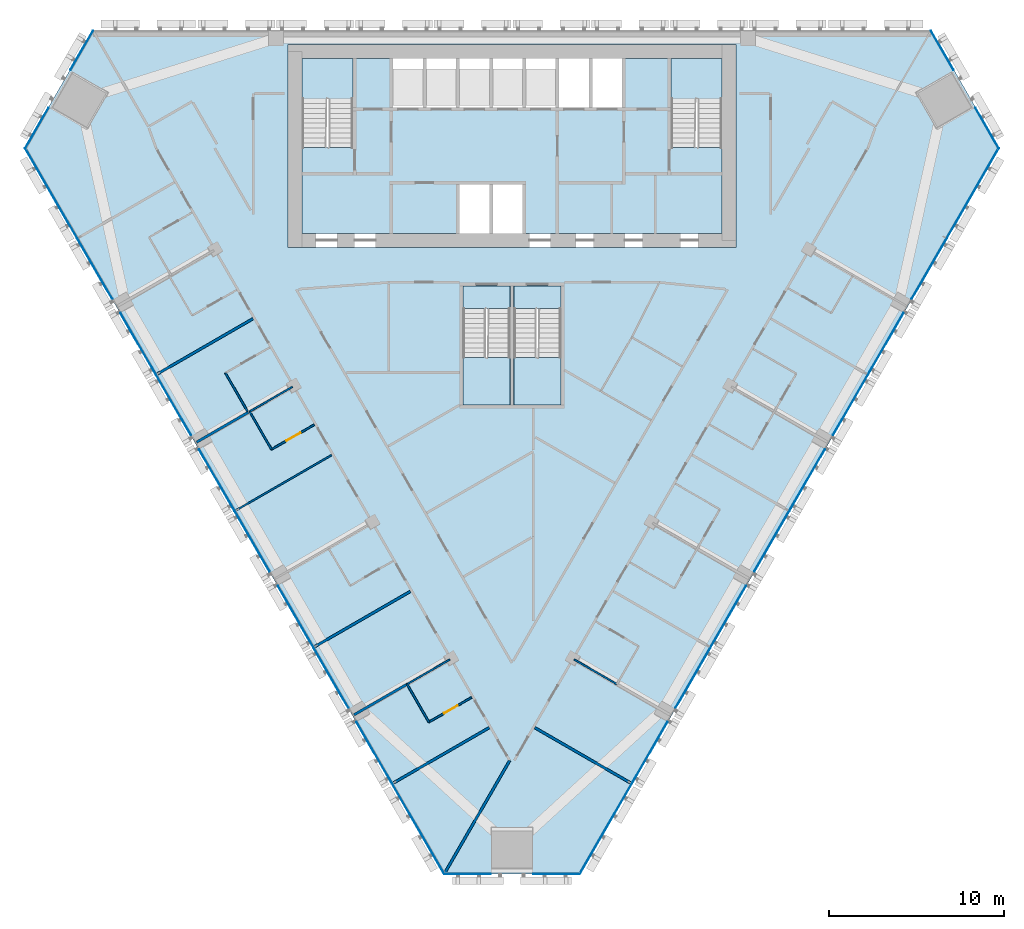
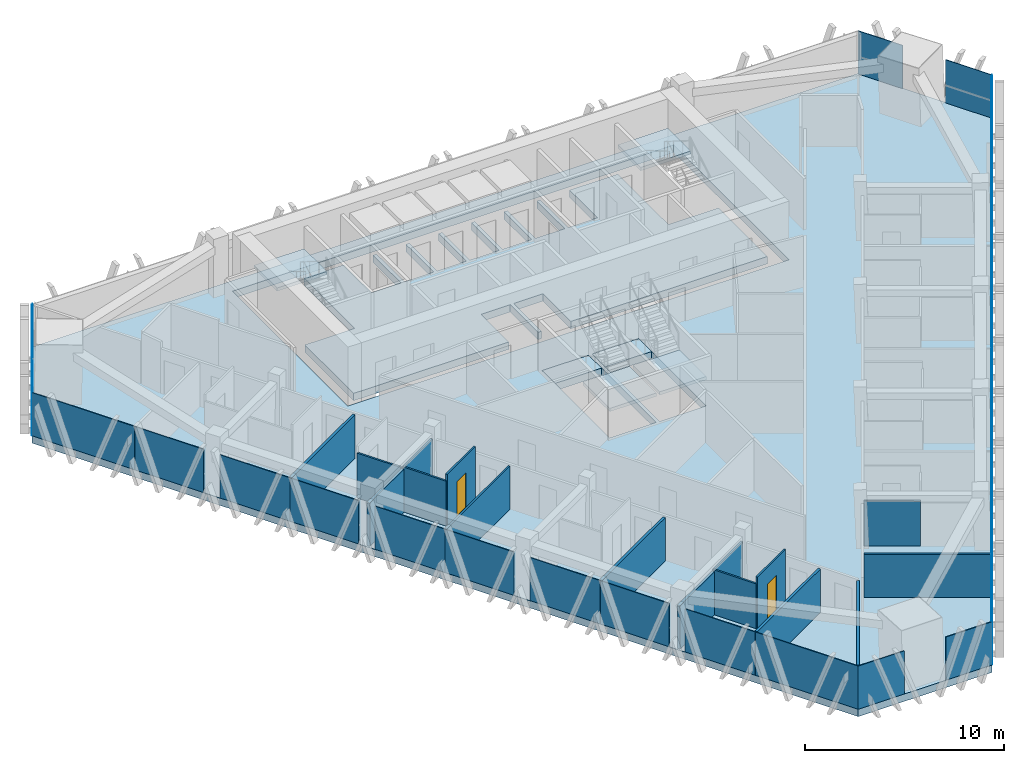
# One storey, part 8 of 16: 26 plates, 16 walls, 8 slabs, 2 doors, 2 openings, 9 elements without a shape of their own.
"""IFC4 building model written with IfcOpenShell, lengths in metres."""

import ifcopenshell
import ifcopenshell.guid

model = None  # the IFC model being written
_history = None  # IfcOwnerHistory: only IFC2X3 demands one
_inside = {}  # id of a spatial element -> (the spatial element, [elements in it])
_under = {}  # id of a project, library or spatial element -> (it, [spatial elements below it])
_declared = {}  # id of a project -> (the project, [libraries it declares])
_typed = {}  # id of a type object -> (the type object, [elements of that type])
_made_of = {}  # id of a material, layer set ... -> (it, [elements and type objects made of it])


def new_model(schema):
    """Start an empty IFC model of exactly this schema.

    Asked for "IFC4X3", IfcOpenShell would pick the latest addendum, in which some entities
    have other attributes; the version numbers below select the first issue.
    IFC2X3 requires an IfcOwnerHistory on every rooted entity: one is made here for all.
    """
    global model, _history
    if schema == "IFC4X3":
        model = ifcopenshell.file(schema_version=(4, 3, 0, 0))
    else:
        model = ifcopenshell.file(schema=schema)
    _inside.clear()
    _under.clear()
    _declared.clear()
    _typed.clear()
    _made_of.clear()
    _history = None
    if model.schema == "IFC2X3":
        org = make("IfcOrganization", Name="unknown")
        user = make(
            "IfcPersonAndOrganization",
            ThePerson=make("IfcPerson", FamilyName="unknown"),
            TheOrganization=org,
        )
        app = make(
            "IfcApplication",
            ApplicationDeveloper=org,
            Version="unknown",
            ApplicationFullName="unknown",
            ApplicationIdentifier="unknown",
        )
        _history = make(
            "IfcOwnerHistory",
            OwningUser=user,
            OwningApplication=app,
            ChangeAction="ADDED",
            CreationDate=0,
        )
    return model


def make(cls, **values):
    """One entity of the class cls with the attributes given. An attribute that is None is left unset."""
    return model.create_entity(
        cls, **{name: value for name, value in values.items() if value is not None}
    )


def rooted(cls, **values):
    """An entity with a GlobalId (a new one), such as an element, a storey or a relation."""
    return make(cls, GlobalId=ifcopenshell.guid.new(), OwnerHistory=_history, **values)


def si_unit(unit_type, name, prefix=None):
    """IfcSIUnit, for example si_unit("LENGTHUNIT", "METRE", prefix="MILLI")."""
    return make("IfcSIUnit", UnitType=unit_type, Prefix=prefix, Name=name)


def assignment(units):
    """IfcUnitAssignment: the units of a project."""
    return None if units is None else make("IfcUnitAssignment", Units=units)


def point(xyz):
    """IfcCartesianPoint."""
    return None if xyz is None else make("IfcCartesianPoint", Coordinates=xyz)


def direction(xyz):
    """IfcDirection."""
    return None if xyz is None else make("IfcDirection", DirectionRatios=xyz)


def frame(location, z_axis=None, x_axis=None):
    """IfcAxis2Placement3D, a coordinate frame: its origin and axes. An axis left out is left unset."""
    return make(
        "IfcAxis2Placement3D",
        Location=point(location),
        Axis=direction(z_axis),
        RefDirection=direction(x_axis),
    )


def frame_2d(location, x_axis=None):
    """IfcAxis2Placement2D, a coordinate frame in the plane: its origin and x axis."""
    return make(
        "IfcAxis2Placement2D", Location=point(location), RefDirection=direction(x_axis)
    )


def origin():
    """The frame at (0, 0, 0) with its axes left unset."""
    return frame((0.0, 0.0, 0.0))


def origin_2d():
    """The frame at (0, 0) in the plane with its x axis left unset."""
    return frame_2d((0.0, 0.0))


def place(relative_to, where):
    """IfcLocalPlacement: puts the frame where relative to a parent placement (None: the world)."""
    return make(
        "IfcLocalPlacement", PlacementRelTo=relative_to, RelativePlacement=where
    )


def context(
    kind, dimensions, precision=None, world=None, true_north=None, identifier=None
):
    """IfcGeometricRepresentationContext, for example the 3D "Model" context."""
    return make(
        "IfcGeometricRepresentationContext",
        ContextIdentifier=identifier,
        ContextType=kind,
        CoordinateSpaceDimension=dimensions,
        Precision=precision,
        WorldCoordinateSystem=world,
        TrueNorth=true_north,
    )


def subcontext(parent, identifier, kind, view, scale=None):
    """IfcGeometricRepresentationSubContext, for example "Body" below "Model"."""
    return make(
        "IfcGeometricRepresentationSubContext",
        ContextIdentifier=identifier,
        ContextType=kind,
        ParentContext=parent,
        TargetScale=scale,
        TargetView=view,
    )


def project(units=None, contexts=None):
    """IfcProject with its units and contexts."""
    return rooted(
        "IfcProject",
        Name="project",
        RepresentationContexts=contexts,
        UnitsInContext=assignment(units),
    )


def spatial(cls, under=None, at=None, **own):
    """A site, building, storey or space (cls), placed at a placement, below another one or the project."""
    s = rooted(cls, ObjectPlacement=at, **own)
    if under is not None:
        _under.setdefault(under.id(), (under, []))[1].append(s)
    return s


def polyline(points):
    """IfcPolyline through the points."""
    return make("IfcPolyline", Points=[point(p) for p in points])


def profile(cls, at=None, kind="AREA", **sizes):
    """A parametric profile (cls). Its sizes go by their IFC names, for example OverallWidth=200.0."""
    return make(cls, ProfileType=kind, Position=at, **sizes)


def rectangle(**sizes):
    """IfcRectangleProfileDef."""
    return profile("IfcRectangleProfileDef", **sizes)


def outline(outer, holes=None, kind="AREA"):
    """IfcArbitraryClosedProfileDef: a profile drawn as a closed curve; with holes, ...WithVoids."""
    if holes is None:
        return make("IfcArbitraryClosedProfileDef", ProfileType=kind, OuterCurve=outer)
    return make(
        "IfcArbitraryProfileDefWithVoids",
        ProfileType=kind,
        OuterCurve=outer,
        InnerCurves=holes,
    )


def extrude(swept, where, along, depth):
    """IfcExtrudedAreaSolid: the profile swept, set in the frame where, extruded along a direction by depth."""
    return make(
        "IfcExtrudedAreaSolid",
        SweptArea=swept,
        Position=where,
        ExtrudedDirection=direction(along),
        Depth=depth,
    )


def shape(context_of_items, identifier, shape_type, items):
    """IfcShapeRepresentation: the items that make up one representation, for example the "Body"."""
    return make(
        "IfcShapeRepresentation",
        ContextOfItems=context_of_items,
        RepresentationIdentifier=identifier,
        RepresentationType=shape_type,
        Items=items,
    )


def material(Name=None, Category=None):
    """IfcMaterial."""
    return make("IfcMaterial", Name=Name, Category=Category)


def layer(
    of_material, thickness, ventilated=None, Name=None, Category=None, Priority=None
):
    """IfcMaterialLayer: one layer of a wall or slab, of a material (None: an air gap)."""
    return make(
        "IfcMaterialLayer",
        Material=of_material,
        LayerThickness=thickness,
        IsVentilated=ventilated,
        Name=Name,
        Category=Category,
        Priority=Priority,
    )


def layer_set(layers, Name=None):
    """IfcMaterialLayerSet."""
    return make("IfcMaterialLayerSet", MaterialLayers=layers, LayerSetName=Name)


def made_of(thing, what):
    """Note that an element or type object is made of a material, layer set ...; save() writes the relation."""
    if what is not None:
        _made_of.setdefault(what.id(), (what, []))[1].append(thing)
    return thing


def type_object(cls, material=None, **own):
    """A type object (cls), such as IfcWallType, which elements share."""
    return made_of(rooted(cls, **own), material)


def element(
    cls,
    number,
    at=None,
    inside=None,
    cuts=None,
    type_object=None,
    material=None,
    context=None,
    identifier="Body",
    shape_type=None,
    held_by="IfcProductDefinitionShape",
    body=None,
    shapes=None,
    **own,
):
    """One element of the class cls, such as IfcWall. Its Tag is "e" and its number.

    at: its placement. inside: the storey or other place that contains it. cuts: it is an
    opening in that element (IfcRelVoidsElement). A single representation is given by context,
    identifier, shape_type and body (its items); several are given by shapes. held_by: the class
    of the entity that holds the representations. save() writes the other relations.
    """
    e = rooted(cls, Tag="e%d" % number, ObjectPlacement=at, **own)
    if body is not None:
        shapes = [shape(context, identifier, shape_type, body)]
    if shapes is not None:
        e.Representation = make(held_by, Representations=shapes)
    if inside is not None:
        _inside.setdefault(inside.id(), (inside, []))[1].append(e)
    if cuts is not None:
        rooted(
            "IfcRelVoidsElement", RelatingBuildingElement=cuts, RelatedOpeningElement=e
        )
    if type_object is not None:
        _typed.setdefault(type_object.id(), (type_object, []))[1].append(e)
    return made_of(e, material)


def fill(opening, filler):
    """IfcRelFillsElement: the door or window that sits in an opening."""
    return rooted(
        "IfcRelFillsElement",
        RelatingOpeningElement=opening,
        RelatedBuildingElement=filler,
    )


def aggregate(whole, parts):
    """IfcRelAggregates: a whole, such as a stair, and the parts it consists of."""
    return rooted("IfcRelAggregates", RelatingObject=whole, RelatedObjects=parts)


def save(model, path):
    """Write the relations noted so far, then the file.

    IfcRelAggregates (storeys below a building ...), IfcRelContainedInSpatialStructure (elements
    in a storey), IfcRelDefinesByType, IfcRelAssociatesMaterial and IfcRelDeclares: one each for
    every whole, place, type object, material and project.
    """
    for whole, parts in _under.values():
        aggregate(whole, parts)
    for where, things in _inside.values():
        rooted(
            "IfcRelContainedInSpatialStructure",
            RelatedElements=things,
            RelatingStructure=where,
        )
    for kind, things in _typed.values():
        rooted("IfcRelDefinesByType", RelatedObjects=things, RelatingType=kind)
    for what, things in _made_of.values():
        rooted("IfcRelAssociatesMaterial", RelatedObjects=things, RelatingMaterial=what)
    for by, libraries in _declared.values():
        rooted("IfcRelDeclares", RelatingContext=by, RelatedDefinitions=libraries)
    model.write(path)


model = new_model("IFC4")

# Units and contexts
model_context = context("Model", 3, precision=1e-05, world=origin(), true_north=direction((0.0, 1.0)))
body_context = subcontext(model_context, "Body", "Model", "MODEL_VIEW")
ifc_project = project(units=[si_unit("LENGTHUNIT", "METRE"), si_unit("AREAUNIT", "SQUARE_METRE"), si_unit("VOLUMEUNIT", "CUBIC_METRE"), si_unit("PLANEANGLEUNIT", "RADIAN"), si_unit("MASSUNIT", "GRAM", prefix="KILO")], contexts=[model_context])

# Site, building, storey
site_placement = place(None, origin())
site = spatial("IfcSite", under=ifc_project, at=site_placement, CompositionType="ELEMENT")
building_placement = place(site_placement, origin())
building = spatial("IfcBuilding", under=site, at=building_placement, Name="Altiplano Prism Tower", CompositionType="ELEMENT")
storey_placement = place(building_placement, frame((0.0, 0.0, 131.39990234375)))
storey = spatial("IfcBuildingStorey", under=building, at=storey_placement, Name="L33", CompositionType="ELEMENT", Elevation=131.39990234375)

# Curtain wall, plates
ifc_material_1 = material(Name="Aluminium and glass", Category="aluminium")
ifc_layer_1 = layer(ifc_material_1, 0.280029296875)
ifc_layer_set_1 = layer_set([ifc_layer_1], Name="Aluminium and glass")
curtain_wall_type = type_object("IfcCurtainWallType", Name="CW1 typical co-living unitised curtain wall", PredefinedType="NOTDEFINED", material=ifc_layer_set_1)
curtain_wall_1_placement = place(storey_placement, origin())
curtain_wall_1 = element("IfcCurtainWall", 1, at=curtain_wall_1_placement, inside=storey, type_object=curtain_wall_type, Name="CW1 curtain wall north-west chamfer L33", PredefinedType="NOTDEFINED")
ifc_material_2 = material(Name="Clear glass", Category="glass")
ifc_layer_2 = layer(ifc_material_2, 0.0400390625)
ifc_layer_set_2 = layer_set([ifc_layer_2], Name="Clear glass")
plate_type = type_object("IfcPlateType", Name="CW1 insulated glass unit 40", PredefinedType="CURTAIN_PANEL", material=ifc_layer_set_2)
plate_1_placement = place(storey_placement, frame((60.400634765625, 103.862548828125, 0.000244140625), z_axis=(0.0, 0.0, 1.0), x_axis=(-0.500000001179, -0.866025403104, 0.0)))
plate_1 = element("IfcPlate", 2, at=plate_1_placement, type_object=plate_type, Name="CW1 panel", PredefinedType="CURTAIN_PANEL", context=body_context, shape_type="SweptSolid", body=[
    extrude(rectangle(XDim=2.593994140625, YDim=0.0400390625, at=origin_2d()), origin(), (0.0, 0.0, 1.0), 2.64990234375),
])
plate_2_placement = place(storey_placement, frame((57.838623046875, 99.425048828125, 0.000244140625), z_axis=(0.0, 0.0, 1.0), x_axis=(-0.500000001179, -0.866025403104, 0.0)))
plate_2 = element("IfcPlate", 3, at=plate_2_placement, type_object=plate_type, Name="CW1 panel", PredefinedType="CURTAIN_PANEL", context=body_context, shape_type="SweptSolid", body=[
    extrude(rectangle(XDim=2.674072265625, YDim=0.0400390625, at=origin_2d()), origin(), (0.0, 0.0, 1.0), 2.64990234375),
])
aggregate(curtain_wall_1, [plate_1, plate_2])

curtain_wall_2_placement = place(storey_placement, origin())
curtain_wall_2 = element("IfcCurtainWall", 4, at=curtain_wall_2_placement, inside=storey, type_object=curtain_wall_type, Name="CW1 curtain wall south-west face L33", PredefinedType="NOTDEFINED")
plate_3_placement = place(storey_placement, frame((58.658935546875, 95.699462890625, 0.000244140625), z_axis=(0.0, 0.0, 1.0), x_axis=(0.500000002207, -0.86602540251, 0.0)))
plate_3 = element("IfcPlate", 5, at=plate_3_placement, type_object=plate_type, Name="CW1 panel", PredefinedType="CURTAIN_PANEL", context=body_context, shape_type="SweptSolid", body=[
    extrude(rectangle(XDim=5.955810546875, YDim=0.0400390625, at=origin_2d()), origin(), (0.0, 0.0, 1.0), 2.64990234375),
])
plate_4_placement = place(storey_placement, frame((61.1494140625, 91.38623046875, 0.000244140625), z_axis=(0.0, 0.0, 1.0), x_axis=(0.500000002207, -0.86602540251, 0.0)))
plate_4 = element("IfcPlate", 6, at=plate_4_placement, type_object=plate_type, Name="CW1 panel", PredefinedType="CURTAIN_PANEL", context=body_context, shape_type="SweptSolid", body=[
    extrude(rectangle(XDim=3.985595703125, YDim=0.0400390625, at=origin_2d()), origin(), (0.0, 0.0, 1.0), 2.64990234375),
])
plate_5_placement = place(storey_placement, frame((63.6318359375, 87.08642578125, 0.000244140625), z_axis=(0.0, 0.0, 1.0), x_axis=(0.500000002207, -0.86602540251, 0.0)))
plate_5 = element("IfcPlate", 7, at=plate_5_placement, type_object=plate_type, Name="CW1 panel", PredefinedType="CURTAIN_PANEL", context=body_context, shape_type="SweptSolid", body=[
    extrude(rectangle(XDim=4.064453125, YDim=0.0400390625, at=origin_2d()), origin(), (0.0, 0.0, 1.0), 2.64990234375),
])
plate_6_placement = place(storey_placement, frame((65.6494140625, 83.592041015625, 0.000244140625), z_axis=(0.0, 0.0, 1.0), x_axis=(0.500000002207, -0.86602540251, 0.0)))
plate_6 = element("IfcPlate", 8, at=plate_6_placement, type_object=plate_type, Name="CW1 panel", PredefinedType="CURTAIN_PANEL", context=body_context, shape_type="SweptSolid", body=[
    extrude(rectangle(XDim=3.985595703125, YDim=0.0400390625, at=origin_2d()), origin(), (0.0, 0.0, 1.0), 2.64990234375),
])
plate_7_placement = place(storey_placement, frame((68.1318359375, 79.2919921875, 0.000244140625), z_axis=(0.0, 0.0, 1.0), x_axis=(0.500000002207, -0.86602540251, 0.0)))
plate_7 = element("IfcPlate", 9, at=plate_7_placement, type_object=plate_type, Name="CW1 panel", PredefinedType="CURTAIN_PANEL", context=body_context, shape_type="SweptSolid", body=[
    extrude(rectangle(XDim=4.064453125, YDim=0.0400390625, at=origin_2d()), origin(), (0.0, 0.0, 1.0), 2.64990234375),
])
plate_8_placement = place(storey_placement, frame((70.1494140625, 75.7978515625, 0.000244140625), z_axis=(0.0, 0.0, 1.0), x_axis=(0.500000002207, -0.86602540251, 0.0)))
plate_8 = element("IfcPlate", 10, at=plate_8_placement, type_object=plate_type, Name="CW1 panel", PredefinedType="CURTAIN_PANEL", context=body_context, shape_type="SweptSolid", body=[
    extrude(rectangle(XDim=3.985595703125, YDim=0.0400390625, at=origin_2d()), origin(), (0.0, 0.0, 1.0), 2.64990234375),
])
plate_9_placement = place(storey_placement, frame((72.6318359375, 71.497802734375, 0.000244140625), z_axis=(0.0, 0.0, 1.0), x_axis=(0.500000002207, -0.86602540251, 0.0)))
plate_9 = element("IfcPlate", 11, at=plate_9_placement, type_object=plate_type, Name="CW1 panel", PredefinedType="CURTAIN_PANEL", context=body_context, shape_type="SweptSolid", body=[
    extrude(rectangle(XDim=4.064453125, YDim=0.0400390625, at=origin_2d()), origin(), (0.0, 0.0, 1.0), 2.64990234375),
])
plate_10_placement = place(storey_placement, frame((74.6494140625, 68.00341796875, 0.000244140625), z_axis=(0.0, 0.0, 1.0), x_axis=(0.500000002207, -0.86602540251, 0.0)))
plate_10 = element("IfcPlate", 12, at=plate_10_placement, type_object=plate_type, Name="CW1 panel", PredefinedType="CURTAIN_PANEL", context=body_context, shape_type="SweptSolid", body=[
    extrude(rectangle(XDim=3.985595703125, YDim=0.0400390625, at=origin_2d()), origin(), (0.0, 0.0, 1.0), 2.64990234375),
])
plate_11_placement = place(storey_placement, frame((77.1318359375, 63.70361328125, 0.000244140625), z_axis=(0.0, 0.0, 1.0), x_axis=(0.500000002207, -0.86602540251, 0.0)))
plate_11 = element("IfcPlate", 13, at=plate_11_placement, type_object=plate_type, Name="CW1 panel", PredefinedType="CURTAIN_PANEL", context=body_context, shape_type="SweptSolid", body=[
    extrude(rectangle(XDim=4.064453125, YDim=0.0400390625, at=origin_2d()), origin(), (0.0, 0.0, 1.0), 2.64990234375),
])
plate_12_placement = place(storey_placement, frame((79.641845703125, 59.356201171875, 0.000244140625), z_axis=(0.0, 0.0, 1.0), x_axis=(0.500000002207, -0.86602540251, 0.0)))
plate_12 = element("IfcPlate", 14, at=plate_12_placement, type_object=plate_type, Name="CW1 panel", PredefinedType="CURTAIN_PANEL", context=body_context, shape_type="SweptSolid", body=[
    extrude(rectangle(XDim=5.955810546875, YDim=0.0400390625, at=origin_2d()), origin(), (0.0, 0.0, 1.0), 2.64990234375),
])
aggregate(curtain_wall_2, [plate_3, plate_4, plate_5, plate_6, plate_7, plate_8, plate_9, plate_10, plate_11, plate_12])

curtain_wall_3_placement = place(storey_placement, origin())
curtain_wall_3 = element("IfcCurtainWall", 15, at=curtain_wall_3_placement, inside=storey, type_object=curtain_wall_type, Name="CW1 curtain wall south chamfer L33", PredefinedType="NOTDEFINED")
plate_13_placement = place(storey_placement, frame((82.4580078125, 56.782958984375, 0.000244140625), z_axis=(0.0, 0.0, 1.0), x_axis=(1.0, 0.0, 0.0)))
plate_13 = element("IfcPlate", 16, at=plate_13_placement, type_object=plate_type, Name="CW1 panel", PredefinedType="CURTAIN_PANEL", context=body_context, shape_type="SweptSolid", body=[
    extrude(rectangle(XDim=2.673828125, YDim=0.0400390625, at=origin_2d()), origin(), (0.0, 0.0, 1.0), 2.64990234375),
])
plate_14_placement = place(storey_placement, frame((87.5419921875, 56.782958984375, 0.000244140625), z_axis=(0.0, 0.0, 1.0), x_axis=(1.0, 0.0, 0.0)))
plate_14 = element("IfcPlate", 17, at=plate_14_placement, type_object=plate_type, Name="CW1 panel", PredefinedType="CURTAIN_PANEL", context=body_context, shape_type="SweptSolid", body=[
    extrude(rectangle(XDim=2.673828125, YDim=0.0400390625, at=origin_2d()), origin(), (0.0, 0.0, 1.0), 2.64990234375),
])
aggregate(curtain_wall_3, [plate_13, plate_14])

curtain_wall_4_placement = place(storey_placement, origin())
curtain_wall_4 = element("IfcCurtainWall", 18, at=curtain_wall_4_placement, inside=storey, type_object=curtain_wall_type, Name="CW1 curtain wall south-east face L33", PredefinedType="NOTDEFINED")
plate_15_placement = place(storey_placement, frame((90.358154296875, 59.356201171875, 0.000244140625), z_axis=(0.0, 0.0, 1.0), x_axis=(0.500000002207, 0.86602540251, 0.0)))
plate_15 = element("IfcPlate", 19, at=plate_15_placement, type_object=plate_type, Name="CW1 panel", PredefinedType="CURTAIN_PANEL", context=body_context, shape_type="SweptSolid", body=[
    extrude(rectangle(XDim=5.955810546875, YDim=0.0400390625, at=origin_2d()), origin(), (0.0, 0.0, 1.0), 2.64990234375),
])
plate_16_placement = place(storey_placement, frame((92.8681640625, 63.70361328125, 0.000244140625), z_axis=(0.0, 0.0, 1.0), x_axis=(0.500000002207, 0.86602540251, 0.0)))
plate_16 = element("IfcPlate", 20, at=plate_16_placement, type_object=plate_type, Name="CW1 panel", PredefinedType="CURTAIN_PANEL", context=body_context, shape_type="SweptSolid", body=[
    extrude(rectangle(XDim=4.064453125, YDim=0.0400390625, at=origin_2d()), origin(), (0.0, 0.0, 1.0), 2.64990234375),
])
plate_17_placement = place(storey_placement, frame((95.3505859375, 68.00341796875, 0.000244140625), z_axis=(0.0, 0.0, 1.0), x_axis=(0.500000002207, 0.86602540251, 0.0)))
plate_17 = element("IfcPlate", 21, at=plate_17_placement, type_object=plate_type, Name="CW1 panel", PredefinedType="CURTAIN_PANEL", context=body_context, shape_type="SweptSolid", body=[
    extrude(rectangle(XDim=3.985595703125, YDim=0.0400390625, at=origin_2d()), origin(), (0.0, 0.0, 1.0), 2.64990234375),
])
plate_18_placement = place(storey_placement, frame((97.3681640625, 71.497802734375, 0.000244140625), z_axis=(0.0, 0.0, 1.0), x_axis=(0.500000002207, 0.86602540251, 0.0)))
plate_18 = element("IfcPlate", 22, at=plate_18_placement, type_object=plate_type, Name="CW1 panel", PredefinedType="CURTAIN_PANEL", context=body_context, shape_type="SweptSolid", body=[
    extrude(rectangle(XDim=4.064453125, YDim=0.0400390625, at=origin_2d()), origin(), (0.0, 0.0, 1.0), 2.64990234375),
])
plate_19_placement = place(storey_placement, frame((99.8505859375, 75.7978515625, 0.000244140625), z_axis=(0.0, 0.0, 1.0), x_axis=(0.500000002207, 0.86602540251, 0.0)))
plate_19 = element("IfcPlate", 23, at=plate_19_placement, type_object=plate_type, Name="CW1 panel", PredefinedType="CURTAIN_PANEL", context=body_context, shape_type="SweptSolid", body=[
    extrude(rectangle(XDim=3.985595703125, YDim=0.0400390625, at=origin_2d()), origin(), (0.0, 0.0, 1.0), 2.64990234375),
])
plate_20_placement = place(storey_placement, frame((101.8681640625, 79.2919921875, 0.000244140625), z_axis=(0.0, 0.0, 1.0), x_axis=(0.500000002207, 0.86602540251, 0.0)))
plate_20 = element("IfcPlate", 24, at=plate_20_placement, type_object=plate_type, Name="CW1 panel", PredefinedType="CURTAIN_PANEL", context=body_context, shape_type="SweptSolid", body=[
    extrude(rectangle(XDim=4.064453125, YDim=0.0400390625, at=origin_2d()), origin(), (0.0, 0.0, 1.0), 2.64990234375),
])
plate_21_placement = place(storey_placement, frame((104.3505859375, 83.592041015625, 0.000244140625), z_axis=(0.0, 0.0, 1.0), x_axis=(0.500000002207, 0.86602540251, 0.0)))
plate_21 = element("IfcPlate", 25, at=plate_21_placement, type_object=plate_type, Name="CW1 panel", PredefinedType="CURTAIN_PANEL", context=body_context, shape_type="SweptSolid", body=[
    extrude(rectangle(XDim=3.985595703125, YDim=0.0400390625, at=origin_2d()), origin(), (0.0, 0.0, 1.0), 2.64990234375),
])
plate_22_placement = place(storey_placement, frame((106.3681640625, 87.08642578125, 0.000244140625), z_axis=(0.0, 0.0, 1.0), x_axis=(0.500000002207, 0.86602540251, 0.0)))
plate_22 = element("IfcPlate", 26, at=plate_22_placement, type_object=plate_type, Name="CW1 panel", PredefinedType="CURTAIN_PANEL", context=body_context, shape_type="SweptSolid", body=[
    extrude(rectangle(XDim=4.064453125, YDim=0.0400390625, at=origin_2d()), origin(), (0.0, 0.0, 1.0), 2.64990234375),
])
plate_23_placement = place(storey_placement, frame((108.8505859375, 91.38623046875, 0.000244140625), z_axis=(0.0, 0.0, 1.0), x_axis=(0.500000002207, 0.86602540251, 0.0)))
plate_23 = element("IfcPlate", 27, at=plate_23_placement, type_object=plate_type, Name="CW1 panel", PredefinedType="CURTAIN_PANEL", context=body_context, shape_type="SweptSolid", body=[
    extrude(rectangle(XDim=3.985595703125, YDim=0.0400390625, at=origin_2d()), origin(), (0.0, 0.0, 1.0), 2.64990234375),
])
plate_24_placement = place(storey_placement, frame((111.341064453125, 95.699462890625, 0.000244140625), z_axis=(0.0, 0.0, 1.0), x_axis=(0.500000002207, 0.86602540251, 0.0)))
plate_24 = element("IfcPlate", 28, at=plate_24_placement, type_object=plate_type, Name="CW1 panel", PredefinedType="CURTAIN_PANEL", context=body_context, shape_type="SweptSolid", body=[
    extrude(rectangle(XDim=5.955810546875, YDim=0.0400390625, at=origin_2d()), origin(), (0.0, 0.0, 1.0), 2.64990234375),
])
aggregate(curtain_wall_4, [plate_15, plate_16, plate_17, plate_18, plate_19, plate_20, plate_21, plate_22, plate_23, plate_24])

curtain_wall_5_placement = place(storey_placement, origin())
curtain_wall_5 = element("IfcCurtainWall", 29, at=curtain_wall_5_placement, inside=storey, type_object=curtain_wall_type, Name="CW1 curtain wall north-east chamfer L33", PredefinedType="NOTDEFINED")
plate_25_placement = place(storey_placement, frame((112.161376953125, 99.425048828125, 0.000244140625), z_axis=(0.0, 0.0, 1.0), x_axis=(-0.500000001179, 0.866025403104, 0.0)))
plate_25 = element("IfcPlate", 30, at=plate_25_placement, type_object=plate_type, Name="CW1 panel", PredefinedType="CURTAIN_PANEL", context=body_context, shape_type="SweptSolid", body=[
    extrude(rectangle(XDim=2.674072265625, YDim=0.0400390625, at=origin_2d()), origin(), (0.0, 0.0, 1.0), 2.64990234375),
])
plate_26_placement = place(storey_placement, frame((109.599365234375, 103.862548828125, 0.000244140625), z_axis=(0.0, 0.0, 1.0), x_axis=(-0.500000001179, 0.866025403104, 0.0)))
plate_26 = element("IfcPlate", 31, at=plate_26_placement, type_object=plate_type, Name="CW1 panel", PredefinedType="CURTAIN_PANEL", context=body_context, shape_type="SweptSolid", body=[
    extrude(rectangle(XDim=2.593994140625, YDim=0.0400390625, at=origin_2d()), origin(), (0.0, 0.0, 1.0), 2.64990234375),
])
aggregate(curtain_wall_5, [plate_25, plate_26])

# Slabs
ifc_material_3 = material(Name="Concrete C40/50", Category="concrete")
ifc_layer_3 = layer(ifc_material_3, 0.449951171875)
ifc_layer_set_3 = layer_set([ifc_layer_3], Name="Concrete C40/50")
slab_type_1 = type_object("IfcSlabType", Name="Core floor slab 450", PredefinedType="FLOOR", material=ifc_layer_set_3)
slab_1_placement = place(storey_placement, frame((0.0, 0.0, -0.449951171875)))
element("IfcSlab", 32, at=slab_1_placement, inside=storey, type_object=slab_type_1, Name="Core floor slab L33", PredefinedType="FLOOR", context=body_context, shape_type="SweptSolid", body=[
    extrude(outline(polyline([(97.0, 98.31005859375), (94.10009765625, 98.31005859375), (94.10009765625, 103.39990234375), (91.300048828125, 103.39990234375), (91.300048828125, 100.60009765625), (89.60009765625, 100.60009765625), (89.60009765625, 103.39990234375), (89.39990234375, 103.39990234375), (89.39990234375, 100.60009765625), (87.699951171875, 100.60009765625), (87.699951171875, 103.39990234375), (87.5, 103.39990234375), (87.5, 100.60009765625), (85.800048828125, 100.60009765625), (85.800048828125, 103.39990234375), (85.60009765625, 103.39990234375), (85.60009765625, 100.60009765625), (83.89990234375, 100.60009765625), (83.89990234375, 103.39990234375), (83.699951171875, 103.39990234375), (83.699951171875, 100.60009765625), (82.0, 100.60009765625), (82.0, 103.39990234375), (81.800048828125, 103.39990234375), (81.800048828125, 100.60009765625), (80.10009765625, 100.60009765625), (80.10009765625, 103.39990234375), (79.89990234375, 103.39990234375), (79.89990234375, 100.60009765625), (78.199951171875, 100.60009765625), (78.199951171875, 103.39990234375), (75.89990234375, 103.39990234375), (75.89990234375, 98.31005859375), (73.0, 98.31005859375), (73.0, 93.39990234375), (82.0, 93.39990234375), (82.0, 96.199951171875), (83.699951171875, 96.199951171875), (83.699951171875, 93.39990234375), (83.89990234375, 93.39990234375), (83.89990234375, 96.199951171875), (85.60009765625, 96.199951171875), (85.60009765625, 93.39990234375), (97.0, 93.39990234375), (97.0, 98.31005859375)])), origin(), (0.0, 0.0, 1.0), 0.449951171875),
])
slab_2_placement = place(storey_placement, frame((0.0, 0.0, -0.449951171875)))
element("IfcSlab", 33, at=slab_2_placement, inside=storey, type_object=slab_type_1, Name="Stair 3A landing slab L33", PredefinedType="FLOOR", context=body_context, shape_type="SweptSolid", body=[
    extrude(outline(polyline([(82.199951171875, 89.096923828125), (84.89990234375, 89.096923828125), (84.89990234375, 90.39990234375), (82.199951171875, 90.39990234375), (82.199951171875, 89.096923828125)])), origin(), (0.0, 0.0, 1.0), 0.449951171875),
])
slab_3_placement = place(storey_placement, frame((0.0, 0.0, -0.449951171875)))
element("IfcSlab", 34, at=slab_3_placement, inside=storey, type_object=slab_type_1, Name="Stair 3B landing slab L33", PredefinedType="FLOOR", context=body_context, shape_type="SweptSolid", body=[
    extrude(outline(polyline([(85.10009765625, 89.096923828125), (87.800048828125, 89.096923828125), (87.800048828125, 90.39990234375), (85.10009765625, 90.39990234375), (85.10009765625, 89.096923828125)])), origin(), (0.0, 0.0, 1.0), 0.449951171875),
])
ifc_layer_4 = layer(ifc_material_3, 0.449951171875)
ifc_layer_set_4 = layer_set([ifc_layer_4], Name="Concrete C40/50")
slab_type_2 = type_object("IfcSlabType", Name="Post-tensioned flat slab 450", PredefinedType="FLOOR", material=ifc_layer_set_4)
slab_4_placement = place(storey_placement, frame((0.0, 0.0, -0.449951171875)))
element("IfcSlab", 35, at=slab_4_placement, inside=storey, type_object=slab_type_2, Name="Floor slab L33", PredefinedType="FLOOR", context=body_context, shape_type="SweptSolid", body=[
    extrude(outline(polyline([(81.115966796875, 56.762939453125), (57.150146484375, 98.27294921875), (61.0341796875, 105.0), (108.9658203125, 105.0), (112.849853515625, 98.27294921875), (88.884033203125, 56.762939453125), (81.115966796875, 56.762939453125)]), holes=[polyline([(72.199951171875, 104.199951171875), (72.199951171875, 92.60009765625), (97.800048828125, 92.60009765625), (97.800048828125, 104.199951171875), (72.199951171875, 104.199951171875)]), polyline([(84.89990234375, 90.39990234375), (82.199951171875, 90.39990234375), (82.199951171875, 83.60009765625), (84.89990234375, 83.60009765625), (84.89990234375, 90.39990234375)]), polyline([(87.800048828125, 83.60009765625), (87.800048828125, 90.39990234375), (85.10009765625, 90.39990234375), (85.10009765625, 83.60009765625), (87.800048828125, 83.60009765625)])]), origin(), (0.0, 0.0, 1.0), 0.449951171875),
])

# Stair, slab
stair_type_1 = type_object("IfcStairType", Name="Exit stair 1400", PredefinedType="HALF_TURN_STAIR", material=ifc_material_3)
stair_1_placement = place(storey_placement, origin())
stair_1 = element("IfcStair", 36, at=stair_1_placement, inside=storey, type_object=stair_type_1, Name="L33 Exit Stair 1", PredefinedType="HALF_TURN_STAIR")
ifc_layer_5 = layer(ifc_material_3, 0.199951171875)
ifc_layer_set_5 = layer_set([ifc_layer_5], Name="Concrete C40/50")
slab_type_3 = type_object("IfcSlabType", Name="Stair landing 200", PredefinedType="LANDING", material=ifc_layer_set_5)
slab_5_placement = place(storey_placement, frame((0.0, 0.0, 1.60009765625)))
slab_5 = element("IfcSlab", 37, at=slab_5_placement, type_object=slab_type_3, Name="ST1 landing 1", PredefinedType="LANDING", context=body_context, shape_type="SweptSolid", body=[
    extrude(outline(polyline([(75.89990234375, 101.096923828125), (75.89990234375, 103.39990234375), (73.0, 103.39990234375), (73.0, 101.096923828125), (75.89990234375, 101.096923828125)])), origin(), (0.0, 0.0, 1.0), 0.199951171875),
])
aggregate(stair_1, [slab_5])

stair_2_placement = place(storey_placement, origin())
stair_2 = element("IfcStair", 38, at=stair_2_placement, inside=storey, type_object=stair_type_1, Name="L33 Exit Stair 2", PredefinedType="HALF_TURN_STAIR")
slab_6_placement = place(storey_placement, frame((0.0, 0.0, 1.60009765625)))
slab_6 = element("IfcSlab", 39, at=slab_6_placement, type_object=slab_type_3, Name="ST2 landing 1", PredefinedType="LANDING", context=body_context, shape_type="SweptSolid", body=[
    extrude(outline(polyline([(97.0, 101.096923828125), (97.0, 103.39990234375), (94.10009765625, 103.39990234375), (94.10009765625, 101.096923828125), (97.0, 101.096923828125)])), origin(), (0.0, 0.0, 1.0), 0.199951171875),
])
aggregate(stair_2, [slab_6])

stair_type_2 = type_object("IfcStairType", Name="Exit stair 1300", PredefinedType="HALF_TURN_STAIR", material=ifc_material_3)
stair_3_placement = place(storey_placement, origin())
stair_3 = element("IfcStair", 40, at=stair_3_placement, inside=storey, type_object=stair_type_2, Name="L33 Exit Stair 3A", PredefinedType="HALF_TURN_STAIR")
slab_7_placement = place(storey_placement, frame((0.0, 0.0, 1.60009765625)))
slab_7 = element("IfcSlab", 41, at=slab_7_placement, type_object=slab_type_3, Name="ST3A landing 1", PredefinedType="LANDING", context=body_context, shape_type="SweptSolid", body=[
    extrude(outline(polyline([(82.199951171875, 86.302978515625), (82.199951171875, 83.60009765625), (84.89990234375, 83.60009765625), (84.89990234375, 86.302978515625), (82.199951171875, 86.302978515625)])), origin(), (0.0, 0.0, 1.0), 0.199951171875),
])
aggregate(stair_3, [slab_7])

stair_4_placement = place(storey_placement, origin())
stair_4 = element("IfcStair", 42, at=stair_4_placement, inside=storey, type_object=stair_type_2, Name="L33 Exit Stair 3B", PredefinedType="HALF_TURN_STAIR")
slab_8_placement = place(storey_placement, frame((0.0, 0.0, 1.60009765625)))
slab_8 = element("IfcSlab", 43, at=slab_8_placement, type_object=slab_type_3, Name="ST3B landing 1", PredefinedType="LANDING", context=body_context, shape_type="SweptSolid", body=[
    extrude(outline(polyline([(85.10009765625, 86.302978515625), (85.10009765625, 83.60009765625), (87.800048828125, 83.60009765625), (87.800048828125, 86.302978515625), (85.10009765625, 86.302978515625)])), origin(), (0.0, 0.0, 1.0), 0.199951171875),
])
aggregate(stair_4, [slab_8])

# Wall
ifc_material_4 = material(Name="Plasterboard on steel stud", Category="steel")
ifc_layer_6 = layer(ifc_material_4, 0.10009765625)
ifc_layer_set_6 = layer_set([ifc_layer_6], Name="Plasterboard on steel stud")
wall_type_1 = type_object("IfcWallType", Name="Partition 100 unit", PredefinedType="PARTITIONING", material=ifc_layer_set_6)
wall_1_placement = place(storey_placement, frame((69.876708984375, 83.22998046875, 0.0), z_axis=(0.0, 0.0, 1.0), x_axis=(-0.50001820224, 0.866014894461, 0.0)))
element("IfcWall", 44, at=wall_1_placement, inside=storey, type_object=wall_type_1, Name="Partition P02 L33 040", PredefinedType="PARTITIONING", context=body_context, shape_type="SweptSolid", body=[
    extrude(rectangle(XDim=2.52490234375, YDim=0.10009765625, at=frame_2d((1.262451171875, 0.0))), origin(), (0.0, 0.0, 1.0), 2.75),
])

# Wall, opening, door
wall_2_placement = place(storey_placement, frame((73.697265625, 82.46240234375, 0.0), z_axis=(0.0, 0.0, 1.0), x_axis=(-0.865989837833, -0.500061596976, 0.0)))
wall_2 = element("IfcWall", 45, at=wall_2_placement, inside=storey, type_object=wall_type_1, Name="Partition P02 L33 044", PredefinedType="PARTITIONING", context=body_context, shape_type="SweptSolid", body=[
    extrude(rectangle(XDim=2.824951171875, YDim=0.10009765625, at=frame_2d((1.41259765625, 0.0))), origin(), (0.0, 0.0, 1.0), 3.150146484375),
])
opening_1_placement = place(wall_2_placement, frame((0.925048828125, 0.0, 0.0)))
opening_1 = element("IfcOpeningElement", 46, at=opening_1_placement, cuts=wall_2, Name="Opening D1193", PredefinedType="OPENING", context=body_context, shape_type="SweptSolid", body=[
    extrude(rectangle(XDim=0.89990234375, YDim=2.10009765625, at=frame_2d((0.449951171875, 1.050048828125))), frame((0.0, 0.060546875, 0.0), z_axis=(0.0, -1.0, 0.0), x_axis=(1.0, 0.0, 0.0)), (0.0, 0.0, 1.0), 0.12109375),
])
ifc_material_5 = material(Name="Timber", Category="wood")
door_type = type_object("IfcDoorType", Name="Ensuite door 900 x 2100", OperationType="NOTDEFINED", PredefinedType="NOTDEFINED", material=ifc_material_5)
door_1_placement = place(opening_1_placement, origin())
door_1 = element("IfcDoor", 47, at=door_1_placement, inside=storey, type_object=door_type, Name="Door D1193", OperationType="SINGLE_SWING_LEFT", OverallHeight=2.10009765625, OverallWidth=0.89990234375, PredefinedType="NOTDEFINED", context=body_context, shape_type="SweptSolid", body=[
    extrude(rectangle(XDim=0.89990234375, YDim=2.10009765625, at=frame_2d((0.449951171875, 1.050048828125))), frame((0.0, 0.02490234375, 0.0), z_axis=(0.0, -1.0, 0.0), x_axis=(1.0, 0.0, 0.0)), (0.0, 0.0, 1.0), 0.050048828125),
])
fill(opening_1, door_1)

# Wall
wall_3_placement = place(storey_placement, frame((71.2509765625, 81.0498046875, 0.0), z_axis=(0.0, 0.0, 1.0), x_axis=(-0.500004234368, 0.866022959057, 0.0)))
element("IfcWall", 48, at=wall_3_placement, inside=storey, type_object=wall_type_1, Name="Partition P02 L33 045", PredefinedType="PARTITIONING", context=body_context, shape_type="SweptSolid", body=[
    extrude(rectangle(XDim=2.5, YDim=0.10009765625, at=frame_2d((1.25, 0.0))), origin(), (0.0, 0.0, 1.0), 2.75),
])

# Wall, opening, door
wall_4_placement = place(storey_placement, frame((82.697265625, 66.8740234375, 0.0), z_axis=(0.0, 0.0, 1.0), x_axis=(-0.865989837833, -0.500061596976, 0.0)))
wall_4 = element("IfcWall", 49, at=wall_4_placement, inside=storey, type_object=wall_type_1, Name="Partition P02 L33 053", PredefinedType="PARTITIONING", context=body_context, shape_type="SweptSolid", body=[
    extrude(rectangle(XDim=2.824951171875, YDim=0.10009765625, at=frame_2d((1.41259765625, 0.0))), origin(), (0.0, 0.0, 1.0), 3.150146484375),
])
opening_2_placement = place(wall_4_placement, frame((0.925048828125, 0.0, 0.0)))
opening_2 = element("IfcOpeningElement", 50, at=opening_2_placement, cuts=wall_4, Name="Opening D1199", PredefinedType="OPENING", context=body_context, shape_type="SweptSolid", body=[
    extrude(rectangle(XDim=0.89990234375, YDim=2.10009765625, at=frame_2d((0.449951171875, 1.050048828125))), frame((0.0, 0.060546875, 0.0), z_axis=(0.0, -1.0, 0.0), x_axis=(1.0, 0.0, 0.0)), (0.0, 0.0, 1.0), 0.12109375),
])
door_2_placement = place(opening_2_placement, origin())
door_2 = element("IfcDoor", 51, at=door_2_placement, inside=storey, type_object=door_type, Name="Door D1199", OperationType="SINGLE_SWING_RIGHT", OverallHeight=2.10009765625, OverallWidth=0.89990234375, PredefinedType="NOTDEFINED", context=body_context, shape_type="SweptSolid", body=[
    extrude(rectangle(XDim=0.89990234375, YDim=2.10009765625, at=frame_2d((0.449951171875, 1.050048828125))), frame((0.0, 0.02490234375, 0.0), z_axis=(0.0, -1.0, 0.0), x_axis=(1.0, 0.0, 0.0)), (0.0, 0.0, 1.0), 0.050048828125),
])
fill(opening_2, door_2)

# Walls
wall_5_placement = place(storey_placement, frame((80.2509765625, 65.46142578125, 0.0), z_axis=(0.0, 0.0, 1.0), x_axis=(-0.500004234368, 0.866022959057, 0.0)))
element("IfcWall", 52, at=wall_5_placement, inside=storey, type_object=wall_type_1, Name="Partition P02 L33 054", PredefinedType="PARTITIONING", context=body_context, shape_type="SweptSolid", body=[
    extrude(rectangle(XDim=2.5, YDim=0.10009765625, at=frame_2d((1.25, 0.0))), origin(), (0.0, 0.0, 1.0), 2.75),
])
ifc_layer_7 = layer(ifc_material_4, 0.10009765625)
ifc_layer_set_7 = layer_set([ifc_layer_7], Name="Plasterboard on steel stud")
wall_type_2 = type_object("IfcWallType", Name="Partition 100 wet", PredefinedType="PARTITIONING", material=ifc_layer_set_7)
wall_6_placement = place(storey_placement, frame((70.0009765625, 83.21484375, 0.0), z_axis=(0.0, 0.0, 1.0), x_axis=(0.865989837833, 0.500061596976, 0.0)))
element("IfcWall", 53, at=wall_6_placement, inside=storey, type_object=wall_type_2, Name="Partition P03 L33 043", PredefinedType="PARTITIONING", context=body_context, shape_type="SweptSolid", body=[
    extrude(rectangle(XDim=2.824951171875, YDim=0.10009765625, at=frame_2d((1.41259765625, 0.0))), origin(), (0.0, 0.0, 1.0), 2.75),
])
wall_7_placement = place(storey_placement, frame((69.2021484375, 77.5576171875, 0.0), z_axis=(0.0, 0.0, 1.0), x_axis=(0.866025401434, 0.500000004071, 0.0)))
element("IfcWall", 54, at=wall_7_placement, inside=storey, type_object=wall_type_2, Name="Partition P03 L33 046", PredefinedType="PARTITIONING", context=body_context, shape_type="SweptSolid", body=[
    extrude(rectangle(XDim=6.34521484375, YDim=0.10009765625, at=frame_2d((3.172607421875, 0.0))), origin(), (0.0, 0.0, 1.0), 2.650146484375),
])
for number, where, z_axis, x_axis, name in (
    (55, (79.0009765625, 67.62646484375, 0.0), (0.0, 0.0, 1.0), (0.865989837833, 0.500061596976, 0.0), "Partition P03 L33 052"),
    (56, (90.9990234375, 67.62646484375, 0.0), (0.0, 0.0, 1.0), (-0.865989837833, 0.500061596976, 0.0), "Partition P03 L33 059"),
):
    element("IfcWall", number, at=place(storey_placement, frame(where, z_axis=z_axis, x_axis=x_axis)), inside=storey, type_object=wall_type_2, Name=name, PredefinedType="PARTITIONING", context=body_context, shape_type="SweptSolid", body=[
        extrude(rectangle(XDim=2.824951171875, YDim=0.10009765625, at=frame_2d((1.41259765625, 0.0))), origin(), (0.0, 0.0, 1.0), 2.75),
    ])
ifc_layer_8 = layer(ifc_material_4, 0.14990234375)
ifc_layer_set_8 = layer_set([ifc_layer_8], Name="Plasterboard on steel stud")
wall_type_3 = type_object("IfcWallType", Name="Partition 150 party", PredefinedType="PARTITIONING", material=ifc_layer_set_8)
wall_8_placement = place(storey_placement, frame((64.7021484375, 85.35205078125, 0.0), z_axis=(0.0, 0.0, 1.0), x_axis=(0.866025401434, 0.500000004071, 0.0)))
element("IfcWall", 57, at=wall_8_placement, inside=storey, type_object=wall_type_3, Name="Partition P01 L33 039", PredefinedType="PARTITIONING", context=body_context, shape_type="SweptSolid", body=[
    extrude(rectangle(XDim=6.34521484375, YDim=0.14990234375, at=frame_2d((3.172607421875, 0.0))), origin(), (0.0, 0.0, 1.0), 2.650146484375),
])
wall_9_placement = place(storey_placement, frame((66.9697265625, 81.46484375, 0.0), z_axis=(0.0, 0.0, 1.0), x_axis=(0.866007273829, 0.50003140069, 0.0)))
element("IfcWall", 58, at=wall_9_placement, inside=storey, type_object=wall_type_3, Name="Partition P01 L33 042", PredefinedType="PARTITIONING", context=body_context, shape_type="SweptSolid", body=[
    extrude(rectangle(XDim=3.420166015625, YDim=0.14990234375, at=frame_2d((1.7099609375, 0.0))), origin(), (0.0, 0.0, 1.0), 2.650146484375),
])
wall_10_placement = place(storey_placement, frame((73.7021484375, 69.763427734375, 0.0), z_axis=(0.0, 0.0, 1.0), x_axis=(0.866025401434, 0.500000004071, 0.0)))
element("IfcWall", 59, at=wall_10_placement, inside=storey, type_object=wall_type_3, Name="Partition P01 L33 050", PredefinedType="PARTITIONING", context=body_context, shape_type="SweptSolid", body=[
    extrude(rectangle(XDim=6.34521484375, YDim=0.14990234375, at=frame_2d((3.172607421875, 0.0))), origin(), (0.0, 0.0, 1.0), 2.650146484375),
])
wall_11_placement = place(storey_placement, frame((75.9697265625, 65.87646484375, 0.0), z_axis=(0.0, 0.0, 1.0), x_axis=(0.866036909293, 0.499980071345, 0.0)))
element("IfcWall", 60, at=wall_11_placement, inside=storey, type_object=wall_type_3, Name="Partition P01 L33 051", PredefinedType="PARTITIONING", context=body_context, shape_type="SweptSolid", body=[
    extrude(rectangle(XDim=3.500244140625, YDim=0.14990234375, at=frame_2d((1.75, 0.0))), origin(), (0.0, 0.0, 1.0), 2.650146484375),
])
wall_12_placement = place(storey_placement, frame((78.2021484375, 61.96923828125, 0.0), z_axis=(0.0, 0.0, 1.0), x_axis=(0.866035020038, 0.499983343791, 0.0)))
element("IfcWall", 61, at=wall_12_placement, inside=storey, type_object=wall_type_3, Name="Partition P01 L33 055", PredefinedType="PARTITIONING", context=body_context, shape_type="SweptSolid", body=[
    extrude(rectangle(XDim=6.345458984375, YDim=0.14990234375, at=frame_2d((3.1728515625, 0.0))), origin(), (0.0, 0.0, 1.0), 2.650146484375),
])
wall_13_placement = place(storey_placement, frame((81.1591796875, 56.83740234375, 0.0), z_axis=(0.0, 0.0, 1.0), x_axis=(0.499993047099, 0.866029418006, 0.0)))
element("IfcWall", 62, at=wall_13_placement, inside=storey, type_object=wall_type_3, Name="Partition P01 L33 056", PredefinedType="PARTITIONING", context=body_context, shape_type="SweptSolid", body=[
    extrude(rectangle(XDim=7.41943359375, YDim=0.14990234375, at=frame_2d((3.709716796875, 0.0))), origin(), (0.0, 0.0, 1.0), 2.650146484375),
])
wall_14_placement = place(storey_placement, frame((91.7978515625, 61.96923828125, 0.0), z_axis=(0.0, 0.0, 1.0), x_axis=(-0.866025401434, 0.500000004071, 0.0)))
element("IfcWall", 63, at=wall_14_placement, inside=storey, type_object=wall_type_3, Name="Partition P01 L33 057", PredefinedType="PARTITIONING", context=body_context, shape_type="SweptSolid", body=[
    extrude(rectangle(XDim=6.34521484375, YDim=0.14990234375, at=frame_2d((3.172607421875, 0.0))), origin(), (0.0, 0.0, 1.0), 2.650146484375),
])

save(model, "model.ifc")
